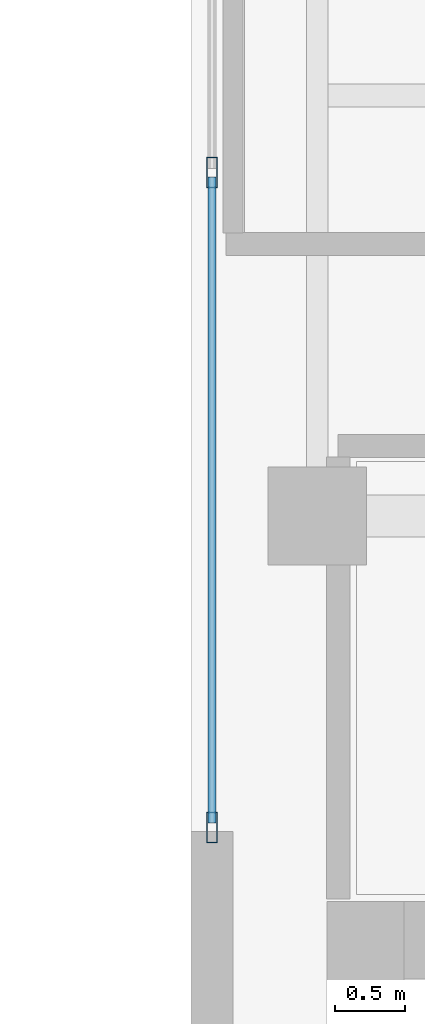
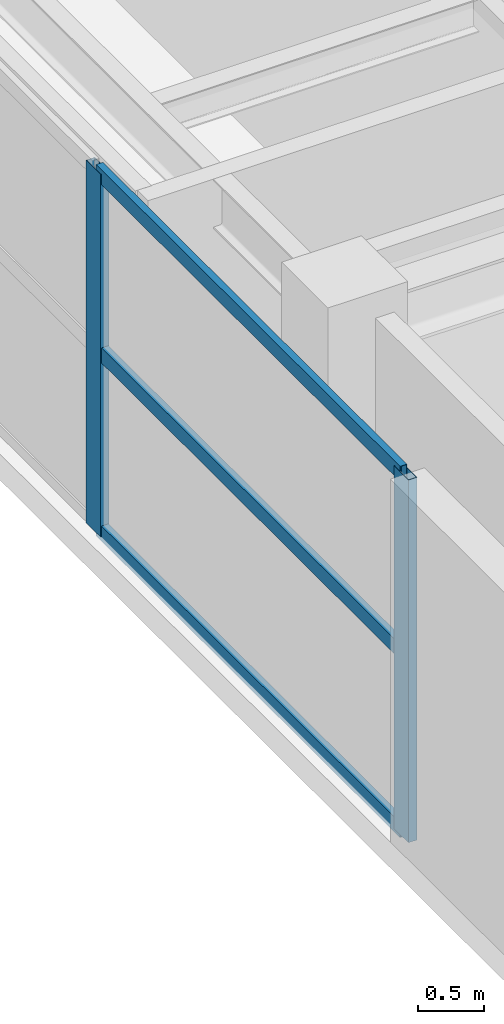
# One storey, part 10 of 24: 5 members, 1 element without a shape of its own.
"""IFC4 building model written with IfcOpenShell, lengths in metres."""

from ifc_helpers import new_model, si_unit, direction, frame, origin, origin_2d, place, context, subcontext, project, spatial, hollow_rectangle, extrude, source, transform, mapped, material, layer, layer_set, material_profile, profile_set, type_object, element, aggregate, save


model = new_model("IFC4")

# Units and contexts
model_context = context("Model", 3, precision=1e-05, world=origin(), true_north=direction((0.0, 1.0)))
body_context = subcontext(model_context, "Body", "Model", "MODEL_VIEW")
ifc_project = project(units=[si_unit("LENGTHUNIT", "METRE"), si_unit("AREAUNIT", "SQUARE_METRE"), si_unit("VOLUMEUNIT", "CUBIC_METRE"), si_unit("PLANEANGLEUNIT", "RADIAN"), si_unit("MASSUNIT", "GRAM", prefix="KILO")], contexts=[model_context])

# Site, building, storey
site_placement = place(None, origin())
site = spatial("IfcSite", under=ifc_project, at=site_placement, CompositionType="ELEMENT")
building_placement = place(site_placement, origin())
building = spatial("IfcBuilding", under=site, at=building_placement, Name="Khoralis Quay Care Tower", CompositionType="ELEMENT")
storey_placement = place(building_placement, frame((0.0, 0.0, 238.5)))
storey = spatial("IfcBuildingStorey", under=building, at=storey_placement, Name="L62", CompositionType="ELEMENT", Elevation=238.5)

# Curtain wall, members
ifc_material = material(Name="Pale anodised aluminium", Category="aluminium")
ifc_layer = layer(ifc_material, 0.18994140625)
ifc_layer_set = layer_set([ifc_layer], Name="Pale anodised aluminium")
curtain_wall_type = type_object("IfcCurtainWallType", Name="CW-SYS-PORTAL", PredefinedType="NOTDEFINED", material=ifc_layer_set)
curtain_wall_placement = place(storey_placement, origin())
curtain_wall = element("IfcCurtainWall", 1, at=curtain_wall_placement, inside=storey, type_object=curtain_wall_type, Name="L62 Unitised Curtain Wall CW-VP-L62-P2-N", PredefinedType="NOTDEFINED")
ifc_material_profile_1 = material_profile(ifc_material, hollow_rectangle(XDim=0.06005859375, YDim=0.139892578125, WallThickness=0.00390625, at=origin_2d()), Name="Pale anodised aluminium")
ifc_profile_set_1 = profile_set([ifc_material_profile_1], Name="Pale anodised aluminium")
member_type_1 = type_object("IfcMemberType", Name="CW-TRN-140", PredefinedType="USERDEFINED", material=ifc_profile_set_1)
shared_shape_1 = source(origin(), body_context, "Body", "SweptSolid", [
    extrude(hollow_rectangle(XDim=0.06005859375, YDim=0.139892578125, WallThickness=0.00390625, at=origin_2d()), origin(), (0.0, 0.0, 1.0), 4.60986328125),
])
member_1_placement = place(storey_placement, frame((30.14990234375, 27.81005859375, 0.030029296875), z_axis=(0.0, 1.0, 0.0), x_axis=(-1.0, 0.0, 0.0)))
member_1 = element("IfcMember", 2, at=member_1_placement, type_object=member_type_1, Name="CW4 transom 1.1", ObjectType="TRANSOM", PredefinedType="USERDEFINED", context=body_context, shape_type="MappedRepresentation", body=[
    mapped(shared_shape_1, transform((0.0, 0.0, 0.0), scale=1.0)),
])
member_2_placement = place(storey_placement, frame((30.14990234375, 27.81005859375, 1.679931640625), z_axis=(0.0, 1.0, 0.0), x_axis=(-1.0, 0.0, 0.0)))
member_2 = element("IfcMember", 3, at=member_2_placement, type_object=member_type_1, Name="CW4 transom 1.2", ObjectType="TRANSOM", PredefinedType="USERDEFINED", context=body_context, shape_type="MappedRepresentation", body=[
    mapped(shared_shape_1, transform((0.0, 0.0, 0.0), scale=1.0)),
])
member_3_placement = place(storey_placement, frame((30.14990234375, 27.81005859375, 3.330078125), z_axis=(0.0, 1.0, 0.0), x_axis=(-1.0, 0.0, 0.0)))
member_3 = element("IfcMember", 4, at=member_3_placement, type_object=member_type_1, Name="CW4 transom 1.3", ObjectType="TRANSOM", PredefinedType="USERDEFINED", context=body_context, shape_type="MappedRepresentation", body=[
    mapped(shared_shape_1, transform((0.0, 0.0, 0.0), scale=1.0)),
])
ifc_material_profile_2 = material_profile(ifc_material, hollow_rectangle(XDim=0.074951171875, YDim=0.219970703125, WallThickness=0.00390625, at=origin_2d()), Name="Pale anodised aluminium")
ifc_profile_set_2 = profile_set([ifc_material_profile_2], Name="Pale anodised aluminium")
member_type_2 = type_object("IfcMemberType", Name="CW-MUL-220", PredefinedType="MULLION", material=ifc_profile_set_2)
shared_shape_2 = source(origin(), body_context, "Body", "SweptSolid", [
    extrude(hollow_rectangle(XDim=0.074951171875, YDim=0.219970703125, WallThickness=0.00390625, at=origin_2d()), origin(), (0.0, 0.0, 1.0), 3.360107421875),
])
member_4_placement = place(storey_placement, frame((30.14990234375, 27.780029296875, 0.0), z_axis=(0.0, 0.0, 1.0), x_axis=(-1.0, 0.0, 0.0)))
member_4 = element("IfcMember", 5, at=member_4_placement, type_object=member_type_2, Name="CW4 mullion 1", PredefinedType="MULLION", context=body_context, shape_type="MappedRepresentation", body=[
    mapped(shared_shape_2, transform((0.0, 0.0, 0.0), scale=1.0)),
])
member_5_placement = place(storey_placement, frame((30.14990234375, 32.449951171875, 0.0), z_axis=(0.0, 0.0, 1.0), x_axis=(-1.0, 0.0, 0.0)))
member_5 = element("IfcMember", 6, at=member_5_placement, type_object=member_type_2, Name="CW4 mullion 2", PredefinedType="MULLION", context=body_context, shape_type="MappedRepresentation", body=[
    mapped(shared_shape_2, transform((0.0, 0.0, 0.0), scale=1.0)),
])
aggregate(curtain_wall, [member_4, member_5, member_1, member_2, member_3])

save(model, "model.ifc")
